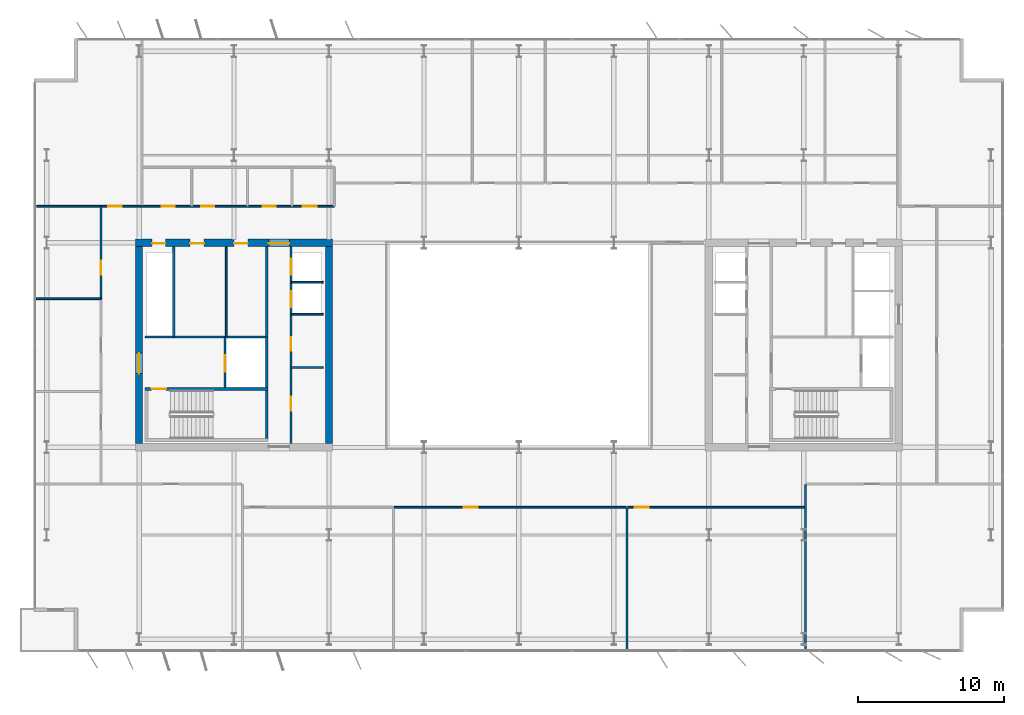
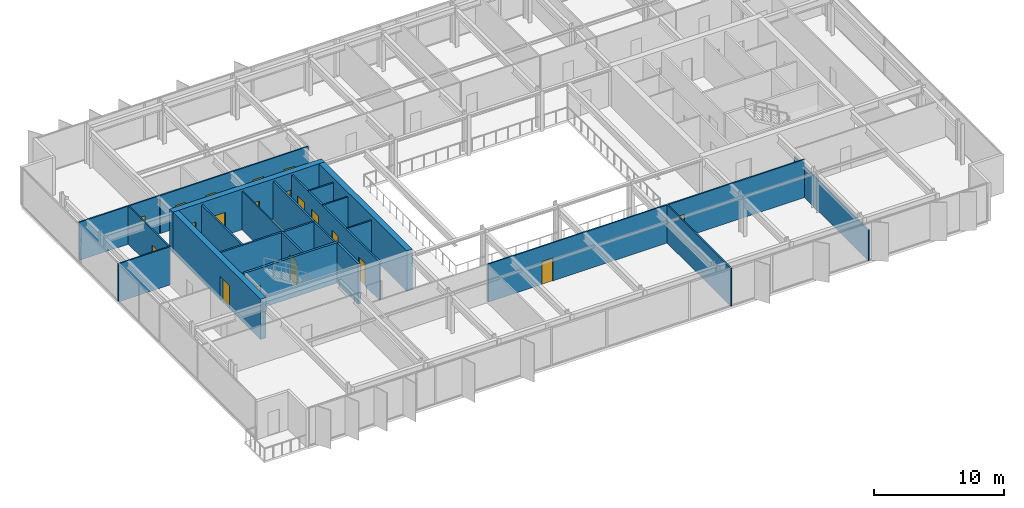
# One storey, part 17 of 23: 23 walls, 19 doors, 19 openings.
"""IFC4 building model written with IfcOpenShell, lengths in metres."""

from ifc_helpers import new_model, si_unit, direction, frame, frame_2d, origin, place, context, subcontext, project, spatial, rectangle, extrude, material, layer, layer_set, type_object, element, fill, save


model = new_model("IFC4")

# Units and contexts
model_context = context("Model", 3, precision=1e-05, world=origin(), true_north=direction((0.0, 1.0)))
body_context = subcontext(model_context, "Body", "Model", "MODEL_VIEW")
ifc_project = project(units=[si_unit("LENGTHUNIT", "METRE"), si_unit("AREAUNIT", "SQUARE_METRE"), si_unit("VOLUMEUNIT", "CUBIC_METRE"), si_unit("PLANEANGLEUNIT", "RADIAN"), si_unit("MASSUNIT", "GRAM", prefix="KILO")], contexts=[model_context])

# Site, building, storey
site_placement = place(None, origin())
site = spatial("IfcSite", under=ifc_project, at=site_placement, CompositionType="ELEMENT")
building_placement = place(site_placement, origin())
building = spatial("IfcBuilding", under=site, at=building_placement, Name="Putna Gate Headquarters", CompositionType="ELEMENT")
storey_placement = place(building_placement, frame((0.0, 0.0, 225.199951171875)))
storey = spatial("IfcBuildingStorey", under=building, at=storey_placement, Name="L56", CompositionType="ELEMENT", Elevation=225.199951171875)

# Wall, openings, doors
ifc_material_1 = material(Name="Concrete C50/60", Category="concrete")
ifc_layer_1 = layer(ifc_material_1, 0.5)
ifc_layer_set_1 = layer_set([ifc_layer_1], Name="Concrete C50/60")
wall_type_1 = type_object("IfcWallType", Name="WALL-CORE-500", PredefinedType="SHEAR", material=ifc_layer_set_1)
wall_1_placement = place(storey_placement, frame((12.75, 33.0, 0.0), z_axis=(0.0, 0.0, 1.0), x_axis=(1.0, 0.0, 0.0)))
wall_1 = element("IfcWall", 1, at=wall_1_placement, inside=storey, type_object=wall_type_1, Name="L56 WC Split Core Shear Wall N", PredefinedType="SHEAR", context=body_context, shape_type="SweptSolid", body=[
    extrude(rectangle(XDim=13.5, YDim=0.5, at=frame_2d((6.75, 0.0))), origin(), (0.0, 0.0, 1.0), 3.800048828125),
])
opening_1_placement = place(wall_1_placement, frame((1.14990234375, 0.0, 0.0)))
opening_1 = element("IfcOpeningElement", 2, at=opening_1_placement, cuts=wall_1, Name="Opening RD-90", PredefinedType="OPENING", context=body_context, shape_type="SweptSolid", body=[
    extrude(rectangle(XDim=0.89990234375, YDim=2.14990234375, at=frame_2d((0.449951171875, 1.074951171875))), frame((0.0, 0.260009765625, 0.0), z_axis=(0.0, -1.0, 0.0), x_axis=(1.0, 0.0, 0.0)), (0.0, 0.0, 1.0), 0.52001953125),
])
opening_2_placement = place(wall_1_placement, frame((3.75, 0.0, 0.0)))
opening_2 = element("IfcOpeningElement", 3, at=opening_2_placement, cuts=wall_1, Name="Opening IDS-95", PredefinedType="OPENING", context=body_context, shape_type="SweptSolid", body=[
    extrude(rectangle(XDim=0.949951171875, YDim=2.14990234375, at=frame_2d((0.47509765625, 1.074951171875))), frame((0.0, 0.260009765625, 0.0), z_axis=(0.0, -1.0, 0.0), x_axis=(1.0, 0.0, 0.0)), (0.0, 0.0, 1.0), 0.52001953125),
])
opening_3_placement = place(wall_1_placement, frame((6.75, 0.0, 0.0)))
opening_3 = element("IfcOpeningElement", 4, at=opening_3_placement, cuts=wall_1, Name="Opening IDS-95", PredefinedType="OPENING", context=body_context, shape_type="SweptSolid", body=[
    extrude(rectangle(XDim=0.949951171875, YDim=2.14990234375, at=frame_2d((0.47509765625, 1.074951171875))), frame((0.0, 0.260009765625, 0.0), z_axis=(0.0, -1.0, 0.0), x_axis=(1.0, 0.0, 0.0)), (0.0, 0.0, 1.0), 0.52001953125),
])
opening_4_placement = place(wall_1_placement, frame((9.1298828125, 0.0, 0.0)))
opening_4 = element("IfcOpeningElement", 5, at=opening_4_placement, cuts=wall_1, Name="Opening FDD-140", PredefinedType="OPENING", context=body_context, shape_type="SweptSolid", body=[
    extrude(rectangle(XDim=1.39990234375, YDim=2.199951171875, at=frame_2d((0.699951171875, 1.10009765625))), frame((0.0, 0.260009765625, 0.0), z_axis=(0.0, -1.0, 0.0), x_axis=(1.0, 0.0, 0.0)), (0.0, 0.0, 1.0), 0.52001953125),
])
ifc_material_2 = material(Name="Double steel fire door", Category="steel")
door_type_1 = type_object("IfcDoorType", Name="DOOR-FIRE-DBL-1400", OperationType="DOUBLE_DOOR_SINGLE_SWING", PredefinedType="DOOR", material=ifc_material_2)
door_1_placement = place(opening_4_placement, origin())
door_1 = element("IfcDoor", 6, at=door_1_placement, inside=storey, type_object=door_type_1, Name="L56 West Lift Lobby North Door", OperationType="DOUBLE_DOOR_SINGLE_SWING", OverallHeight=2.199951171875, OverallWidth=1.39990234375, PredefinedType="DOOR", context=body_context, shape_type="SweptSolid", body=[
    extrude(rectangle(XDim=1.39990234375, YDim=2.199951171875, at=frame_2d((0.699951171875, 1.10009765625))), frame((0.0, -0.02490234375, 0.0), z_axis=(0.0, -1.0, 0.0), x_axis=(1.0, 0.0, 0.0)), (0.0, 0.0, 1.0), 0.050048828125),
])
fill(opening_4, door_1)
ifc_material_3 = material(Name="Fire-rated service timber door", Category="wood")
door_type_2 = type_object("IfcDoorType", Name="DOOR-INT-950", OperationType="NOTDEFINED", PredefinedType="DOOR", material=ifc_material_3)
door_2_placement = place(opening_2_placement, origin())
door_2 = element("IfcDoor", 7, at=door_2_placement, inside=storey, type_object=door_type_2, Name="L56 Cleaner Store Door", OperationType="SINGLE_SWING_LEFT", OverallHeight=2.14990234375, OverallWidth=0.949951171875, PredefinedType="DOOR", context=body_context, shape_type="SweptSolid", body=[
    extrude(rectangle(XDim=0.949951171875, YDim=2.14990234375, at=frame_2d((0.47509765625, 1.074951171875))), frame((0.0, -0.02490234375, 0.0), z_axis=(0.0, -1.0, 0.0), x_axis=(1.0, 0.0, 0.0)), (0.0, 0.0, 1.0), 0.050048828125),
])
fill(opening_2, door_2)
door_3_placement = place(opening_3_placement, origin())
door_3 = element("IfcDoor", 8, at=door_3_placement, inside=storey, type_object=door_type_2, Name="L56 Comms Plant Door", OperationType="SINGLE_SWING_RIGHT", OverallHeight=2.14990234375, OverallWidth=0.949951171875, PredefinedType="DOOR", context=body_context, shape_type="SweptSolid", body=[
    extrude(rectangle(XDim=0.949951171875, YDim=2.14990234375, at=frame_2d((0.47509765625, 1.074951171875))), frame((0.0, -0.02490234375, 0.0), z_axis=(0.0, -1.0, 0.0), x_axis=(1.0, 0.0, 0.0)), (0.0, 0.0, 1.0), 0.050048828125),
])
fill(opening_3, door_3)
ifc_material_4 = material(Name="Steel riser access fire door", Category="steel")
door_type_3 = type_object("IfcDoorType", Name="DOOR-RISER-900", OperationType="NOTDEFINED", PredefinedType="DOOR", material=ifc_material_4)
door_4_placement = place(opening_1_placement, origin())
door_4 = element("IfcDoor", 9, at=door_4_placement, inside=storey, type_object=door_type_3, Name="L56 West Riser Access Door", OperationType="SINGLE_SWING_RIGHT", OverallHeight=2.14990234375, OverallWidth=0.89990234375, PredefinedType="DOOR", context=body_context, shape_type="SweptSolid", body=[
    extrude(rectangle(XDim=0.89990234375, YDim=2.14990234375, at=frame_2d((0.449951171875, 1.074951171875))), frame((0.0, -0.02490234375, 0.0), z_axis=(0.0, -1.0, 0.0), x_axis=(1.0, 0.0, 0.0)), (0.0, 0.0, 1.0), 0.050048828125),
])
fill(opening_1, door_4)

# Wall, opening, door
wall_2_placement = place(storey_placement, frame((13.0, 19.25, 0.0), z_axis=(0.0, 0.0, 1.0), x_axis=(0.0, 1.0, 0.0)))
wall_2 = element("IfcWall", 10, at=wall_2_placement, inside=storey, type_object=wall_type_1, Name="L56 WC Split Core Shear Wall W", PredefinedType="SHEAR", context=body_context, shape_type="SweptSolid", body=[
    extrude(rectangle(XDim=13.5, YDim=0.5, at=frame_2d((6.75, 0.0))), origin(), (0.0, 0.0, 1.0), 3.800048828125),
])
opening_5_placement = place(wall_2_placement, frame((4.800048828125, 0.0, 0.0)))
opening_5 = element("IfcOpeningElement", 11, at=opening_5_placement, cuts=wall_2, Name="Opening FDD-140", PredefinedType="OPENING", context=body_context, shape_type="SweptSolid", body=[
    extrude(rectangle(XDim=1.39990234375, YDim=2.199951171875, at=frame_2d((0.699951171875, 1.10009765625))), frame((0.0, 0.260009765625, 0.0), z_axis=(0.0, -1.0, 0.0), x_axis=(1.0, 0.0, 0.0)), (0.0, 0.0, 1.0), 0.52001953125),
])
door_5_placement = place(opening_5_placement, origin())
door_5 = element("IfcDoor", 12, at=door_5_placement, inside=storey, type_object=door_type_1, Name="L56 West Firefighting Lobby Door", OperationType="DOUBLE_DOOR_SINGLE_SWING", OverallHeight=2.199951171875, OverallWidth=1.39990234375, PredefinedType="DOOR", context=body_context, shape_type="SweptSolid", body=[
    extrude(rectangle(XDim=1.39990234375, YDim=2.199951171875, at=frame_2d((0.699951171875, 1.10009765625))), frame((0.0, 0.02490234375, 0.0), z_axis=(0.0, -1.0, 0.0), x_axis=(1.0, 0.0, 0.0)), (0.0, 0.0, 1.0), 0.050048828125),
])
fill(opening_5, door_5)

# Walls
wall_3_placement = place(storey_placement, frame((26.0, 19.25, 0.0), z_axis=(0.0, 0.0, 1.0), x_axis=(0.0, 1.0, 0.0)))
element("IfcWall", 13, at=wall_3_placement, inside=storey, type_object=wall_type_1, Name="L56 WC Split Core Shear Wall E", PredefinedType="SHEAR", context=body_context, shape_type="SweptSolid", body=[
    extrude(rectangle(XDim=13.5, YDim=0.5, at=frame_2d((6.75, 0.0))), origin(), (0.0, 0.0, 1.0), 3.800048828125),
])
ifc_material_5 = material(Name="Acoustic gypsum board on metal stud")
ifc_layer_2 = layer(ifc_material_5, 0.1201171875)
ifc_layer_set_2 = layer_set([ifc_layer_2], Name="Acoustic gypsum board on metal stud")
wall_type_2 = type_object("IfcWallType", Name="WALL-PART-120", PredefinedType="PARTITIONING", material=ifc_layer_set_2)
wall_4_placement = place(storey_placement, frame((46.396484375, 5.02001953125, 0.0), z_axis=(0.0, 0.0, 1.0), x_axis=(0.0, 1.0, 0.0)))
element("IfcWall", 14, at=wall_4_placement, inside=storey, type_object=wall_type_2, Name="L56 Interior Wall PART-L56-SB-DIV-03", PredefinedType="PARTITIONING", context=body_context, shape_type="SweptSolid", body=[
    extrude(rectangle(XDim=9.820068359375, YDim=0.1201171875, at=frame_2d((4.91015625, 0.0))), origin(), (0.0, 0.0, 1.0), 3.580078125),
])
wall_5_placement = place(storey_placement, frame((58.614013671875, 5.02001953125, 0.0), z_axis=(0.0, 0.0, 1.0), x_axis=(0.0, 1.0, 0.0)))
element("IfcWall", 15, at=wall_5_placement, inside=storey, type_object=wall_type_2, Name="L56 Interior Wall PART-L56-SB-DIV-04", PredefinedType="PARTITIONING", context=body_context, shape_type="SweptSolid", body=[
    extrude(rectangle(XDim=11.419921875, YDim=0.1201171875, at=frame_2d((5.7099609375, 0.0))), origin(), (0.0, 0.0, 1.0), 2.880126953125),
])
wall_6_placement = place(storey_placement, frame((5.820068359375, 29.166748046875, 0.0), z_axis=(0.0, 0.0, 1.0), x_axis=(1.0, 0.0, 0.0)))
element("IfcWall", 16, at=wall_6_placement, inside=storey, type_object=wall_type_2, Name="L56 Interior Wall PART-L56-WW-DIV-2", PredefinedType="PARTITIONING", context=body_context, shape_type="SweptSolid", body=[
    extrude(rectangle(XDim=4.579833984375, YDim=0.1201171875, at=frame_2d((2.2900390625, 0.0))), origin(), (0.0, 0.0, 1.0), 3.580078125),
])
ifc_material_6 = material(Name="Fire-rated shaftwall gypsum board on metal stud")
ifc_layer_3 = layer(ifc_material_6, 0.1201171875)
ifc_layer_set_3 = layer_set([ifc_layer_3], Name="Fire-rated shaftwall gypsum board on metal stud")
wall_type_3 = type_object("IfcWallType", Name="WALL-PART-120-EI120", PredefinedType="PARTITIONING", material=ifc_layer_set_3)
wall_7_placement = place(storey_placement, frame((23.39990234375, 30.31005859375, 0.0), z_axis=(0.0, 0.0, 1.0), x_axis=(1.0, 0.0, 0.0)))
element("IfcWall", 17, at=wall_7_placement, inside=storey, type_object=wall_type_3, Name="L56 Interior Wall CWINT-L56-WC-LF09-DIV", PredefinedType="PARTITIONING", context=body_context, shape_type="SweptSolid", body=[
    extrude(rectangle(XDim=2.2001953125, YDim=0.1201171875, at=frame_2d((1.10009765625, 0.0))), origin(), (0.0, 0.0, 1.0), 3.580078125),
])
ifc_material_7 = material(Name="Fire-rated gypsum board on metal stud")
ifc_layer_4 = layer(ifc_material_7, 0.1201171875)
ifc_layer_set_4 = layer_set([ifc_layer_4], Name="Fire-rated gypsum board on metal stud")
wall_type_4 = type_object("IfcWallType", Name="WALL-PART-120-RATED", PredefinedType="PARTITIONING", material=ifc_layer_set_4)
wall_8_placement = place(storey_placement, frame((18.969970703125, 26.56005859375, 0.0), z_axis=(0.0, 0.0, 1.0), x_axis=(0.0, 1.0, 0.0)))
element("IfcWall", 18, at=wall_8_placement, inside=storey, type_object=wall_type_4, Name="L56 Interior Wall CWINT-L56-WC-K0-DIV", PredefinedType="PARTITIONING", context=body_context, shape_type="SweptSolid", body=[
    extrude(rectangle(XDim=6.18994140625, YDim=0.1201171875, at=frame_2d((3.094970703125, 0.0))), origin(), (0.0, 0.0, 1.0), 3.580078125),
])
for number, where, z_axis, x_axis, name in (
    (19, (23.39990234375, 24.469970703125, 0.0), (0.0, 0.0, 1.0), (1.0, 0.0, 0.0), "L56 Interior Wall CWINT-L56-WC-REUSE-DIV"),
    (20, (23.39990234375, 28.1201171875, 0.0), (0.0, 0.0, 1.0), (1.0, 0.0, 0.0), "L56 Interior Wall CWINT-L56-WC-LF06-DIV"),
):
    element("IfcWall", number, at=place(storey_placement, frame(where, z_axis=z_axis, x_axis=x_axis)), inside=storey, type_object=wall_type_4, Name=name, PredefinedType="PARTITIONING", context=body_context, shape_type="SweptSolid", body=[
        extrude(rectangle(XDim=2.2001953125, YDim=0.1201171875, at=frame_2d((1.10009765625, 0.0))), origin(), (0.0, 0.0, 1.0), 3.580078125),
    ])

# Wall, openings, doors
wall_9_placement = place(storey_placement, frame((13.199951171875, 35.5, 0.0), z_axis=(0.0, 0.0, 1.0), x_axis=(1.0, 0.0, 0.0)))
wall_9 = element("IfcWall", 21, at=wall_9_placement, inside=storey, type_object=wall_type_4, Name="L56 Interior Wall PART-L56-SAN-CW", PredefinedType="PARTITIONING", context=body_context, shape_type="SweptSolid", body=[
    extrude(rectangle(XDim=13.16015625, YDim=0.1201171875, at=frame_2d((6.580078125, 0.0))), origin(), (0.0, 0.0, 1.0), 3.580078125),
])
opening_6_placement = place(wall_9_placement, frame((1.35009765625, 0.0, 0.0)))
opening_6 = element("IfcOpeningElement", 22, at=opening_6_placement, cuts=wall_9, Name="Opening FD-90", PredefinedType="OPENING", context=body_context, shape_type="SweptSolid", body=[
    extrude(rectangle(XDim=0.89990234375, YDim=2.14990234375, at=frame_2d((0.449951171875, 1.074951171875))), frame((0.0, 0.070068359375, 0.0), z_axis=(0.0, -1.0, 0.0), x_axis=(1.0, 0.0, 0.0)), (0.0, 0.0, 1.0), 0.14013671875),
])
opening_7_placement = place(wall_9_placement, frame((4.050048828125, 0.0, 0.0)))
opening_7 = element("IfcOpeningElement", 23, at=opening_7_placement, cuts=wall_9, Name="Opening FD-90", PredefinedType="OPENING", context=body_context, shape_type="SweptSolid", body=[
    extrude(rectangle(XDim=0.89990234375, YDim=2.14990234375, at=frame_2d((0.449951171875, 1.074951171875))), frame((0.0, 0.070068359375, 0.0), z_axis=(0.0, -1.0, 0.0), x_axis=(1.0, 0.0, 0.0)), (0.0, 0.0, 1.0), 0.14013671875),
])
opening_8_placement = place(wall_9_placement, frame((8.25, 0.0, 0.0)))
opening_8 = element("IfcOpeningElement", 24, at=opening_8_placement, cuts=wall_9, Name="Opening FD-90", PredefinedType="OPENING", context=body_context, shape_type="SweptSolid", body=[
    extrude(rectangle(XDim=0.89990234375, YDim=2.14990234375, at=frame_2d((0.449951171875, 1.074951171875))), frame((0.0, 0.070068359375, 0.0), z_axis=(0.0, -1.0, 0.0), x_axis=(1.0, 0.0, 0.0)), (0.0, 0.0, 1.0), 0.14013671875),
])
opening_9_placement = place(wall_9_placement, frame((11.0, 0.0, 0.0)))
opening_9 = element("IfcOpeningElement", 25, at=opening_9_placement, cuts=wall_9, Name="Opening FD-95", PredefinedType="OPENING", context=body_context, shape_type="SweptSolid", body=[
    extrude(rectangle(XDim=0.949951171875, YDim=2.14990234375, at=frame_2d((0.47509765625, 1.074951171875))), frame((0.0, 0.070068359375, 0.0), z_axis=(0.0, -1.0, 0.0), x_axis=(1.0, 0.0, 0.0)), (0.0, 0.0, 1.0), 0.14013671875),
])
ifc_material_8 = material(Name="Acoustic washroom fire door")
door_type_4 = type_object("IfcDoorType", Name="DOOR-FIRE-900", OperationType="NOTDEFINED", PredefinedType="DOOR", material=ifc_material_8)
door_6_placement = place(opening_6_placement, origin())
door_6 = element("IfcDoor", 26, at=door_6_placement, inside=storey, type_object=door_type_4, Name="L56 Washroom Male Door", OperationType="SINGLE_SWING_RIGHT", OverallHeight=2.14990234375, OverallWidth=0.89990234375, PredefinedType="DOOR", context=body_context, shape_type="SweptSolid", body=[
    extrude(rectangle(XDim=0.89990234375, YDim=2.14990234375, at=frame_2d((0.449951171875, 1.074951171875))), frame((0.0, 0.02490234375, 0.0), z_axis=(0.0, -1.0, 0.0), x_axis=(1.0, 0.0, 0.0)), (0.0, 0.0, 1.0), 0.050048828125),
])
fill(opening_6, door_6)
door_7_placement = place(opening_7_placement, origin())
door_7 = element("IfcDoor", 27, at=door_7_placement, inside=storey, type_object=door_type_4, Name="L56 Washroom Female Door", OperationType="SINGLE_SWING_LEFT", OverallHeight=2.14990234375, OverallWidth=0.89990234375, PredefinedType="DOOR", context=body_context, shape_type="SweptSolid", body=[
    extrude(rectangle(XDim=0.89990234375, YDim=2.14990234375, at=frame_2d((0.449951171875, 1.074951171875))), frame((0.0, 0.02490234375, 0.0), z_axis=(0.0, -1.0, 0.0), x_axis=(1.0, 0.0, 0.0)), (0.0, 0.0, 1.0), 0.050048828125),
])
fill(opening_7, door_7)
door_8_placement = place(opening_8_placement, origin())
door_8 = element("IfcDoor", 28, at=door_8_placement, inside=storey, type_object=door_type_4, Name="L56 Accessible WC Door", OperationType="SINGLE_SWING_RIGHT", OverallHeight=2.14990234375, OverallWidth=0.89990234375, PredefinedType="DOOR", context=body_context, shape_type="SweptSolid", body=[
    extrude(rectangle(XDim=0.89990234375, YDim=2.14990234375, at=frame_2d((0.449951171875, 1.074951171875))), frame((0.0, 0.02490234375, 0.0), z_axis=(0.0, -1.0, 0.0), x_axis=(1.0, 0.0, 0.0)), (0.0, 0.0, 1.0), 0.050048828125),
])
fill(opening_8, door_8)
ifc_material_9 = material(Name="Acoustic timber fire door", Category="wood")
door_type_5 = type_object("IfcDoorType", Name="DOOR-FIRE-950", OperationType="NOTDEFINED", PredefinedType="DOOR", material=ifc_material_9)
door_9_placement = place(opening_9_placement, origin())
door_9 = element("IfcDoor", 29, at=door_9_placement, inside=storey, type_object=door_type_5, Name="L56 Staff Pantry and Tea Point Door", OperationType="SINGLE_SWING_LEFT", OverallHeight=2.14990234375, OverallWidth=0.949951171875, PredefinedType="DOOR", context=body_context, shape_type="SweptSolid", body=[
    extrude(rectangle(XDim=0.949951171875, YDim=2.14990234375, at=frame_2d((0.47509765625, 1.074951171875))), frame((0.0, 0.02490234375, 0.0), z_axis=(0.0, -1.0, 0.0), x_axis=(1.0, 0.0, 0.0)), (0.0, 0.0, 1.0), 0.050048828125),
])
fill(opening_9, door_9)

# Wall, opening, door
wall_10_placement = place(storey_placement, frame((5.97998046875, 35.5, 0.0), z_axis=(0.0, 0.0, 1.0), x_axis=(1.0, 0.0, 0.0)))
wall_10 = element("IfcWall", 30, at=wall_10_placement, inside=storey, type_object=wall_type_4, Name="L56 Interior Wall PART-L56-NB-CW-01", PredefinedType="PARTITIONING", context=body_context, shape_type="SweptSolid", body=[
    extrude(rectangle(XDim=7.159912109375, YDim=0.1201171875, at=frame_2d((3.580078125, 0.0))), origin(), (0.0, 0.0, 1.0), 3.580078125),
])
opening_10_placement = place(wall_10_placement, frame((4.89990234375, 0.0, 0.0)))
opening_10 = element("IfcOpeningElement", 31, at=opening_10_placement, cuts=wall_10, Name="Opening FD-95", PredefinedType="OPENING", context=body_context, shape_type="SweptSolid", body=[
    extrude(rectangle(XDim=0.949951171875, YDim=2.14990234375, at=frame_2d((0.47509765625, 1.074951171875))), frame((0.0, 0.070068359375, 0.0), z_axis=(0.0, -1.0, 0.0), x_axis=(1.0, 0.0, 0.0)), (0.0, 0.0, 1.0), 0.14013671875),
])
door_10_placement = place(opening_10_placement, origin())
door_10 = element("IfcDoor", 32, at=door_10_placement, inside=storey, type_object=door_type_5, Name="L56 Cellular Office 4 Door", OperationType="SINGLE_SWING_RIGHT", OverallHeight=2.14990234375, OverallWidth=0.949951171875, PredefinedType="DOOR", context=body_context, shape_type="SweptSolid", body=[
    extrude(rectangle(XDim=0.949951171875, YDim=2.14990234375, at=frame_2d((0.47509765625, 1.074951171875))), frame((0.0, 0.02490234375, 0.0), z_axis=(0.0, -1.0, 0.0), x_axis=(1.0, 0.0, 0.0)), (0.0, 0.0, 1.0), 0.050048828125),
])
fill(opening_10, door_10)

wall_11_placement = place(storey_placement, frame((30.46826171875, 14.89990234375, 0.0), z_axis=(0.0, 0.0, 1.0), x_axis=(1.0, 0.0, 0.0)))
wall_11 = element("IfcWall", 33, at=wall_11_placement, inside=storey, type_object=wall_type_4, Name="L56 Interior Wall PART-L56-SB-CW-03", PredefinedType="PARTITIONING", context=body_context, shape_type="SweptSolid", body=[
    extrude(rectangle(XDim=15.8681640625, YDim=0.1201171875, at=frame_2d((7.93408203125, 0.0))), origin(), (0.0, 0.0, 1.0), 3.580078125),
])
opening_11_placement = place(wall_11_placement, frame((4.760498046875, 0.0, 0.0)))
opening_11 = element("IfcOpeningElement", 34, at=opening_11_placement, cuts=wall_11, Name="Opening FD-95", PredefinedType="OPENING", context=body_context, shape_type="SweptSolid", body=[
    extrude(rectangle(XDim=0.949951171875, YDim=2.14990234375, at=frame_2d((0.47509765625, 1.074951171875))), frame((0.0, 0.070068359375, 0.0), z_axis=(0.0, -1.0, 0.0), x_axis=(1.0, 0.0, 0.0)), (0.0, 0.0, 1.0), 0.14013671875),
])
door_11_placement = place(opening_11_placement, origin())
door_11 = element("IfcDoor", 35, at=door_11_placement, inside=storey, type_object=door_type_5, Name="L56 Cellular Office 2 Door", OperationType="SINGLE_SWING_RIGHT", OverallHeight=2.14990234375, OverallWidth=0.949951171875, PredefinedType="DOOR", context=body_context, shape_type="SweptSolid", body=[
    extrude(rectangle(XDim=0.949951171875, YDim=2.14990234375, at=frame_2d((0.47509765625, 1.074951171875))), frame((0.0, 0.02490234375, 0.0), z_axis=(0.0, -1.0, 0.0), x_axis=(1.0, 0.0, 0.0)), (0.0, 0.0, 1.0), 0.050048828125),
])
fill(opening_11, door_11)

wall_12_placement = place(storey_placement, frame((46.45654296875, 14.89990234375, 0.0), z_axis=(0.0, 0.0, 1.0), x_axis=(1.0, 0.0, 0.0)))
wall_12 = element("IfcWall", 36, at=wall_12_placement, inside=storey, type_object=wall_type_4, Name="L56 Interior Wall PART-L56-SB-CW-04", PredefinedType="PARTITIONING", context=body_context, shape_type="SweptSolid", body=[
    extrude(rectangle(XDim=12.097412109375, YDim=0.1201171875, at=frame_2d((6.048828125, 0.0))), origin(), (0.0, 0.0, 1.0), 3.580078125),
])
opening_12_placement = place(wall_12_placement, frame((0.47998046875, 0.0, 0.0)))
opening_12 = element("IfcOpeningElement", 37, at=opening_12_placement, cuts=wall_12, Name="Opening FD-95", PredefinedType="OPENING", context=body_context, shape_type="SweptSolid", body=[
    extrude(rectangle(XDim=0.949951171875, YDim=2.14990234375, at=frame_2d((0.47509765625, 1.074951171875))), frame((0.0, 0.070068359375, 0.0), z_axis=(0.0, -1.0, 0.0), x_axis=(1.0, 0.0, 0.0)), (0.0, 0.0, 1.0), 0.14013671875),
])
door_12_placement = place(opening_12_placement, origin())
door_12 = element("IfcDoor", 38, at=door_12_placement, inside=storey, type_object=door_type_5, Name="L56 Cellular Office 3 Door", OperationType="SINGLE_SWING_LEFT", OverallHeight=2.14990234375, OverallWidth=0.949951171875, PredefinedType="DOOR", context=body_context, shape_type="SweptSolid", body=[
    extrude(rectangle(XDim=0.949951171875, YDim=2.14990234375, at=frame_2d((0.47509765625, 1.074951171875))), frame((0.0, 0.02490234375, 0.0), z_axis=(0.0, -1.0, 0.0), x_axis=(1.0, 0.0, 0.0)), (0.0, 0.0, 1.0), 0.050048828125),
])
fill(opening_12, door_12)

wall_13_placement = place(storey_placement, frame((10.39990234375, 29.166748046875, 0.0), z_axis=(0.0, 0.0, 1.0), x_axis=(0.0, 1.0, 0.0)))
wall_13 = element("IfcWall", 39, at=wall_13_placement, inside=storey, type_object=wall_type_4, Name="L56 Interior Wall PART-L56-WW-CW-3", PredefinedType="PARTITIONING", context=body_context, shape_type="SweptSolid", body=[
    extrude(rectangle(XDim=6.333251953125, YDim=0.1201171875, at=frame_2d((3.16650390625, 0.0))), origin(), (0.0, 0.0, 1.0), 3.580078125),
])
opening_13_placement = place(wall_13_placement, frame((1.6416015625, 0.0, 0.0)))
opening_13 = element("IfcOpeningElement", 40, at=opening_13_placement, cuts=wall_13, Name="Opening FD-95", PredefinedType="OPENING", context=body_context, shape_type="SweptSolid", body=[
    extrude(rectangle(XDim=0.949951171875, YDim=2.14990234375, at=frame_2d((0.47509765625, 1.074951171875))), frame((0.0, 0.070068359375, 0.0), z_axis=(0.0, -1.0, 0.0), x_axis=(1.0, 0.0, 0.0)), (0.0, 0.0, 1.0), 0.14013671875),
])
door_13_placement = place(opening_13_placement, origin())
door_13 = element("IfcDoor", 41, at=door_13_placement, inside=storey, type_object=door_type_5, Name="L56 West Project Meeting Room 3 Door", OperationType="SINGLE_SWING_LEFT", OverallHeight=2.14990234375, OverallWidth=0.949951171875, PredefinedType="DOOR", context=body_context, shape_type="SweptSolid", body=[
    extrude(rectangle(XDim=0.949951171875, YDim=2.14990234375, at=frame_2d((0.47509765625, 1.074951171875))), frame((0.0, 0.02490234375, 0.0), z_axis=(0.0, -1.0, 0.0), x_axis=(1.0, 0.0, 0.0)), (0.0, 0.0, 1.0), 0.050048828125),
])
fill(opening_13, door_13)

# Wall
ifc_material_10 = material(Name="Concrete C40/50", Category="concrete")
ifc_layer_5 = layer(ifc_material_10, 0.159912109375)
ifc_layer_set_5 = layer_set([ifc_layer_5], Name="Concrete C40/50")
wall_type_5 = type_object("IfcWallType", Name="WALL-SHAFT-160", PredefinedType="STANDARD", material=ifc_layer_set_5)
wall_14_placement = place(storey_placement, frame((21.739990234375, 23.090087890625, 0.0), z_axis=(0.0, 0.0, 1.0), x_axis=(0.0, 1.0, 0.0)))
element("IfcWall", 42, at=wall_14_placement, inside=storey, type_object=wall_type_5, Name="L56 Interior Wall CWINT-L56-WC-FFL-E", PredefinedType="STANDARD", context=body_context, shape_type="SweptSolid", body=[
    extrude(rectangle(XDim=3.469970703125, YDim=0.159912109375, at=frame_2d((1.73486328125, 0.0))), origin(), (0.0, 0.0, 1.0), 3.580078125),
])

# Wall, opening, door
wall_15_placement = place(storey_placement, frame((18.8798828125, 23.090087890625, 0.0), z_axis=(0.0, 0.0, 1.0), x_axis=(0.0, 1.0, 0.0)))
wall_15 = element("IfcWall", 43, at=wall_15_placement, inside=storey, type_object=wall_type_5, Name="L56 Interior Wall CWINT-L56-WC-LF13-W", PredefinedType="STANDARD", context=body_context, shape_type="SweptSolid", body=[
    extrude(rectangle(XDim=3.469970703125, YDim=0.159912109375, at=frame_2d((1.73486328125, 0.0))), origin(), (0.0, 0.0, 1.0), 3.580078125),
])
opening_14_placement = place(wall_15_placement, frame((1.10009765625, 0.0, 0.0)))
opening_14 = element("IfcOpeningElement", 44, at=opening_14_placement, cuts=wall_15, Name="Opening LD-1", PredefinedType="OPENING", context=body_context, shape_type="SweptSolid", body=[
    extrude(rectangle(XDim=1.10009765625, YDim=2.199951171875, at=frame_2d((0.550048828125, 1.10009765625))), frame((0.0, 0.08984375, 0.0), z_axis=(0.0, -1.0, 0.0), x_axis=(1.0, 0.0, 0.0)), (0.0, 0.0, 1.0), 0.179931640625),
])
ifc_material_11 = material(Name="Brushed bronze stainless lift landing door")
door_type_6 = type_object("IfcDoorType", Name="DOOR-LIFT-1100", OperationType="DOUBLE_DOOR_SLIDING", PredefinedType="DOOR", material=ifc_material_11)
door_14_placement = place(opening_14_placement, origin())
door_14 = element("IfcDoor", 45, at=door_14_placement, inside=storey, type_object=door_type_6, Name="L56 Lift Landing Door LD-13", OperationType="DOUBLE_DOOR_SLIDING", OverallHeight=2.199951171875, OverallWidth=1.10009765625, PredefinedType="DOOR", context=body_context, shape_type="SweptSolid", body=[
    extrude(rectangle(XDim=1.10009765625, YDim=2.199951171875, at=frame_2d((0.550048828125, 1.10009765625))), frame((0.0, 0.02490234375, 0.0), z_axis=(0.0, -1.0, 0.0), x_axis=(1.0, 0.0, 0.0)), (0.0, 0.0, 1.0), 0.050048828125),
])
fill(opening_14, door_14)

# Walls
wall_16_placement = place(storey_placement, frame((13.39990234375, 26.56005859375, 0.0), z_axis=(0.0, 0.0, 1.0), x_axis=(1.0, 0.0, 0.0)))
element("IfcWall", 46, at=wall_16_placement, inside=storey, type_object=wall_type_5, Name="L56 Interior Wall CWINT-L56-WC-FFL-N", PredefinedType="STANDARD", context=body_context, shape_type="SweptSolid", body=[
    extrude(rectangle(XDim=8.340087890625, YDim=0.159912109375, at=frame_2d((4.169921875, 0.0))), origin(), (0.0, 0.0, 1.0), 3.580078125),
])
for number, where, z_axis, x_axis, name in (
    (47, (15.3798828125, 26.56005859375, 0.0), (0.0, 0.0, 1.0), (0.0, 1.0, 0.0), "L56 Interior Wall CWINT-L56-WC-RISER-E"),
    (48, (21.739990234375, 26.56005859375, 0.0), (0.0, 0.0, 1.0), (0.0, 1.0, 0.0), "L56 Interior Wall CWINT-L56-WC-LOB-W"),
):
    element("IfcWall", number, at=place(storey_placement, frame(where, z_axis=z_axis, x_axis=x_axis)), inside=storey, type_object=wall_type_5, Name=name, PredefinedType="STANDARD", context=body_context, shape_type="SweptSolid", body=[
        extrude(rectangle(XDim=6.18994140625, YDim=0.159912109375, at=frame_2d((3.094970703125, 0.0))), origin(), (0.0, 0.0, 1.0), 3.580078125),
    ])

# Wall, openings, doors
wall_17_placement = place(storey_placement, frame((23.39990234375, 19.25, 0.0), z_axis=(0.0, 0.0, 1.0), x_axis=(0.0, 1.0, 0.0)))
wall_17 = element("IfcWall", 49, at=wall_17_placement, inside=storey, type_object=wall_type_5, Name="L56 Interior Wall CWINT-L56-WC-PL-WALL", PredefinedType="STANDARD", context=body_context, shape_type="SweptSolid", body=[
    extrude(rectangle(XDim=13.5, YDim=0.159912109375, at=frame_2d((6.75, 0.0))), origin(), (0.0, 0.0, 1.0), 3.580078125),
])
opening_15_placement = place(wall_17_placement, frame((2.25, 0.0, 0.0)))
opening_15 = element("IfcOpeningElement", 50, at=opening_15_placement, cuts=wall_17, Name="Opening IDS-95", PredefinedType="OPENING", context=body_context, shape_type="SweptSolid", body=[
    extrude(rectangle(XDim=0.949951171875, YDim=2.14990234375, at=frame_2d((0.47509765625, 1.074951171875))), frame((0.0, 0.08984375, 0.0), z_axis=(0.0, -1.0, 0.0), x_axis=(1.0, 0.0, 0.0)), (0.0, 0.0, 1.0), 0.179931640625),
])
opening_16_placement = place(wall_17_placement, frame((6.35009765625, 0.0, 0.0)))
opening_16 = element("IfcOpeningElement", 51, at=opening_16_placement, cuts=wall_17, Name="Opening IDS-95", PredefinedType="OPENING", context=body_context, shape_type="SweptSolid", body=[
    extrude(rectangle(XDim=0.949951171875, YDim=2.14990234375, at=frame_2d((0.47509765625, 1.074951171875))), frame((0.0, 0.08984375, 0.0), z_axis=(0.0, -1.0, 0.0), x_axis=(1.0, 0.0, 0.0)), (0.0, 0.0, 1.0), 0.179931640625),
])
opening_17_placement = place(wall_17_placement, frame((9.35009765625, 0.0, 0.0)))
opening_17 = element("IfcOpeningElement", 52, at=opening_17_placement, cuts=wall_17, Name="Opening LD-1", PredefinedType="OPENING", context=body_context, shape_type="SweptSolid", body=[
    extrude(rectangle(XDim=1.10009765625, YDim=2.199951171875, at=frame_2d((0.550048828125, 1.10009765625))), frame((0.0, 0.08984375, 0.0), z_axis=(0.0, -1.0, 0.0), x_axis=(1.0, 0.0, 0.0)), (0.0, 0.0, 1.0), 0.179931640625),
])
opening_18_placement = place(wall_17_placement, frame((11.550048828125, 0.0, 0.0)))
opening_18 = element("IfcOpeningElement", 53, at=opening_18_placement, cuts=wall_17, Name="Opening LD-1", PredefinedType="OPENING", context=body_context, shape_type="SweptSolid", body=[
    extrude(rectangle(XDim=1.10009765625, YDim=2.199951171875, at=frame_2d((0.550048828125, 1.10009765625))), frame((0.0, 0.08984375, 0.0), z_axis=(0.0, -1.0, 0.0), x_axis=(1.0, 0.0, 0.0)), (0.0, 0.0, 1.0), 0.179931640625),
])
door_15_placement = place(opening_15_placement, origin())
door_15 = element("IfcDoor", 54, at=door_15_placement, inside=storey, type_object=door_type_2, Name="L56 Tenant IT Hub Door", OperationType="SINGLE_SWING_LEFT", OverallHeight=2.14990234375, OverallWidth=0.949951171875, PredefinedType="DOOR", context=body_context, shape_type="SweptSolid", body=[
    extrude(rectangle(XDim=0.949951171875, YDim=2.14990234375, at=frame_2d((0.47509765625, 1.074951171875))), frame((0.0, 0.02490234375, 0.0), z_axis=(0.0, -1.0, 0.0), x_axis=(1.0, 0.0, 0.0)), (0.0, 0.0, 1.0), 0.050048828125),
])
fill(opening_15, door_15)
door_16_placement = place(opening_16_placement, origin())
door_16 = element("IfcDoor", 55, at=door_16_placement, inside=storey, type_object=door_type_2, Name="L56 Records Vault Door", OperationType="SINGLE_SWING_RIGHT", OverallHeight=2.14990234375, OverallWidth=0.949951171875, PredefinedType="DOOR", context=body_context, shape_type="SweptSolid", body=[
    extrude(rectangle(XDim=0.949951171875, YDim=2.14990234375, at=frame_2d((0.47509765625, 1.074951171875))), frame((0.0, 0.02490234375, 0.0), z_axis=(0.0, -1.0, 0.0), x_axis=(1.0, 0.0, 0.0)), (0.0, 0.0, 1.0), 0.050048828125),
])
fill(opening_16, door_16)
door_17_placement = place(opening_17_placement, origin())
door_17 = element("IfcDoor", 56, at=door_17_placement, inside=storey, type_object=door_type_6, Name="L56 Lift Landing Door LD-09", OperationType="DOUBLE_DOOR_SLIDING", OverallHeight=2.199951171875, OverallWidth=1.10009765625, PredefinedType="DOOR", context=body_context, shape_type="SweptSolid", body=[
    extrude(rectangle(XDim=1.10009765625, YDim=2.199951171875, at=frame_2d((0.550048828125, 1.10009765625))), frame((0.0, 0.02490234375, 0.0), z_axis=(0.0, -1.0, 0.0), x_axis=(1.0, 0.0, 0.0)), (0.0, 0.0, 1.0), 0.050048828125),
])
fill(opening_17, door_17)
door_18_placement = place(opening_18_placement, origin())
door_18 = element("IfcDoor", 57, at=door_18_placement, inside=storey, type_object=door_type_6, Name="L56 Lift Landing Door LD-10", OperationType="DOUBLE_DOOR_SLIDING", OverallHeight=2.199951171875, OverallWidth=1.10009765625, PredefinedType="DOOR", context=body_context, shape_type="SweptSolid", body=[
    extrude(rectangle(XDim=1.10009765625, YDim=2.199951171875, at=frame_2d((0.550048828125, 1.10009765625))), frame((0.0, 0.02490234375, 0.0), z_axis=(0.0, -1.0, 0.0), x_axis=(1.0, 0.0, 0.0)), (0.0, 0.0, 1.0), 0.050048828125),
])
fill(opening_18, door_18)

# Wall, opening, door
ifc_layer_6 = layer(ifc_material_10, 0.199951171875)
ifc_layer_set_6 = layer_set([ifc_layer_6], Name="Concrete C40/50")
wall_type_6 = type_object("IfcWallType", Name="WALL-SHAFT-RC200", PredefinedType="SHEAR", material=ifc_layer_set_6)
wall_18_placement = place(storey_placement, frame((13.409912109375, 22.989990234375, 0.0), z_axis=(0.0, 0.0, 1.0), x_axis=(1.0, 0.0, 0.0)))
wall_18 = element("IfcWall", 58, at=wall_18_placement, inside=storey, type_object=wall_type_6, Name="L56 Stair ST1 Structural Shaft Wall N", PredefinedType="SHEAR", context=body_context, shape_type="SweptSolid", body=[
    extrude(rectangle(XDim=8.43017578125, YDim=0.199951171875, at=frame_2d((4.215087890625, 0.0))), origin(), (0.0, 0.0, 1.0), 3.800048828125),
])
opening_19_placement = place(wall_18_placement, frame((0.449951171875, 0.0, 0.0)))
opening_19 = element("IfcOpeningElement", 59, at=opening_19_placement, cuts=wall_18, Name="Opening FD-100", PredefinedType="OPENING", context=body_context, shape_type="SweptSolid", body=[
    extrude(rectangle(XDim=1.0, YDim=2.14990234375, at=frame_2d((0.5, 1.074951171875))), frame((0.0, 0.10986328125, 0.0), z_axis=(0.0, -1.0, 0.0), x_axis=(1.0, 0.0, 0.0)), (0.0, 0.0, 1.0), 0.219970703125),
])
ifc_material_12 = material(Name="Powder-coated steel fire door", Category="steel")
door_type_7 = type_object("IfcDoorType", Name="DOOR-FIRE-1000", OperationType="NOTDEFINED", PredefinedType="DOOR", material=ifc_material_12)
door_19_placement = place(opening_19_placement, origin())
door_19 = element("IfcDoor", 60, at=door_19_placement, inside=storey, type_object=door_type_7, Name="L56 Stair ST1 Fire Door", OperationType="SINGLE_SWING_LEFT", OverallHeight=2.14990234375, OverallWidth=1.0, PredefinedType="DOOR", context=body_context, shape_type="SweptSolid", body=[
    extrude(rectangle(XDim=1.0, YDim=2.14990234375, at=frame_2d((0.5, 1.074951171875))), frame((0.0, 0.02490234375, 0.0), z_axis=(0.0, -1.0, 0.0), x_axis=(1.0, 0.0, 0.0)), (0.0, 0.0, 1.0), 0.050048828125),
])
fill(opening_19, door_19)

# Wall
wall_19_placement = place(storey_placement, frame((21.739990234375, 19.610107421875, 0.0), z_axis=(0.0, 0.0, 1.0), x_axis=(0.0, 1.0, 0.0)))
element("IfcWall", 61, at=wall_19_placement, inside=storey, type_object=wall_type_6, Name="L56 Stair ST1 Structural Shaft Wall E", PredefinedType="SHEAR", context=body_context, shape_type="SweptSolid", body=[
    extrude(rectangle(XDim=3.27978515625, YDim=0.199951171875, at=frame_2d((1.639892578125, 0.0))), origin(), (0.0, 0.0, 1.0), 3.800048828125),
])

save(model, "model.ifc")
